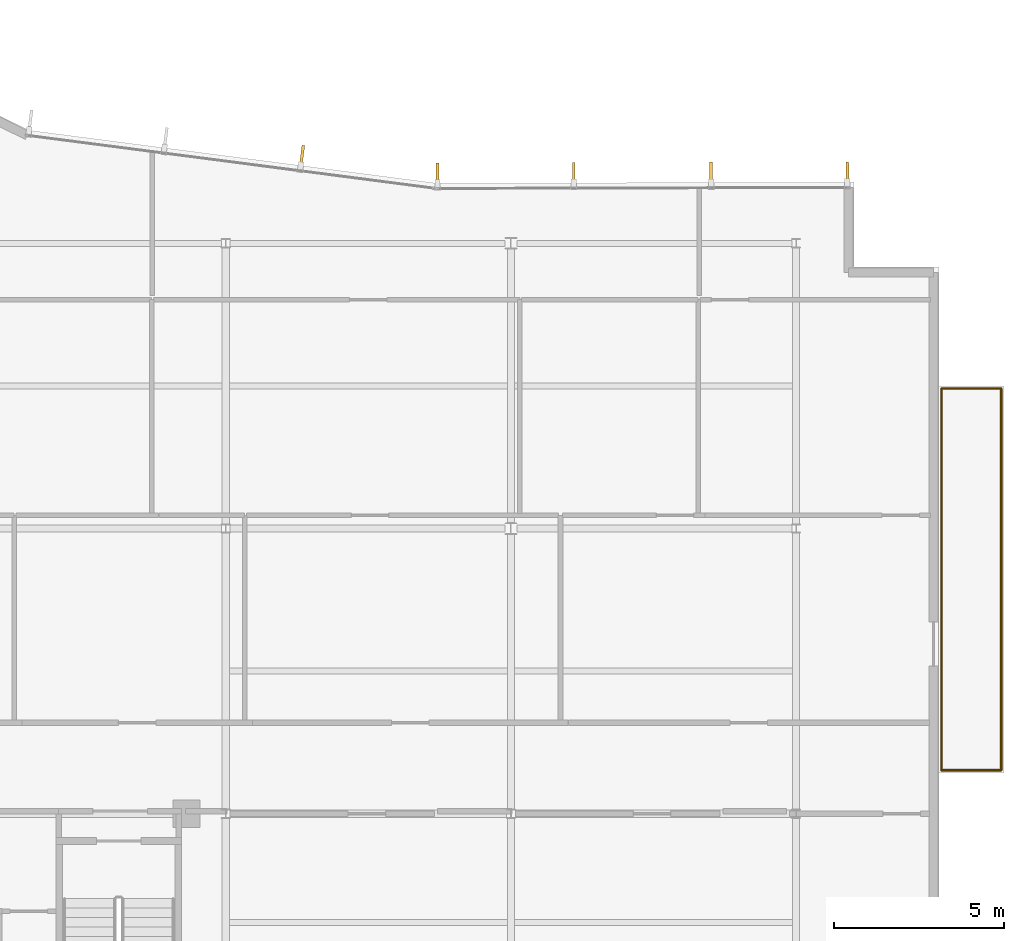
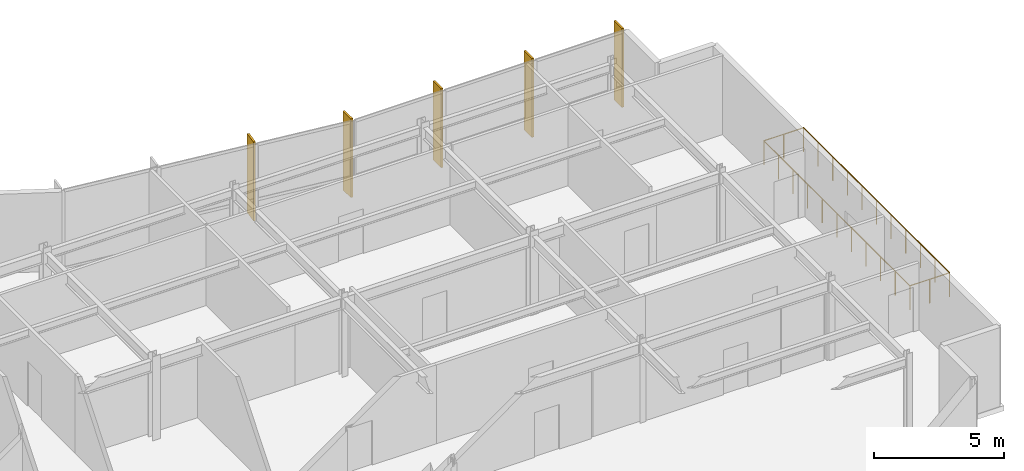
# One storey, part 14 of 15: 5 shading devices, 4 railings.
"""IFC4 building model written with IfcOpenShell, lengths in metres."""

from ifc_helpers import new_model, si_unit, direction, frame, origin, origin_2d, place, context, subcontext, project, spatial, rectangle, circle, extrude, material, layer, layer_set, type_object, element, save


model = new_model("IFC4")

# Units and contexts
model_context = context("Model", 3, precision=1e-05, world=origin(), true_north=direction((0.0, 1.0)))
body_context = subcontext(model_context, "Body", "Model", "MODEL_VIEW")
ifc_project = project(units=[si_unit("LENGTHUNIT", "METRE"), si_unit("AREAUNIT", "SQUARE_METRE"), si_unit("VOLUMEUNIT", "CUBIC_METRE"), si_unit("PLANEANGLEUNIT", "RADIAN"), si_unit("MASSUNIT", "GRAM", prefix="KILO")], contexts=[model_context])

# Site, building, storey
site_placement = place(None, origin())
site = spatial("IfcSite", under=ifc_project, at=site_placement, CompositionType="ELEMENT")
building_placement = place(site_placement, origin())
building = spatial("IfcBuilding", under=site, at=building_placement, Name="Varnakote Quay Hospital", CompositionType="ELEMENT")
storey_placement = place(building_placement, frame((0.0, 0.0, 252.60009765625)))
storey = spatial("IfcBuildingStorey", under=building, at=storey_placement, Name="L62", CompositionType="ELEMENT", Elevation=252.60009765625)

# Railings
ifc_material_1 = material(Name="Anodised aluminium 6063-T6 Bronze", Category="aluminium")
railing_type = type_object("IfcRailingType", Name="RLG-EXT-GUARD-1150", PredefinedType="GUARDRAIL", material=ifc_material_1)
railing_1_placement = place(storey_placement, frame((46.27587890625, 24.52001953125, 0.0)))
element("IfcRailing", 1, at=railing_1_placement, inside=storey, type_object=railing_type, Name="L62 Zigzag Prow Healing Terrace Safety Guard", PredefinedType="GUARDRAIL", context=body_context, shape_type="SweptSolid", body=[
    extrude(circle(Radius=0.02392578125, at=origin_2d()), frame((0.0, 0.0, 1.1259765625), z_axis=(1.0, 0.0, 0.0), x_axis=(0.0, 1.0, 0.0)), (0.0, 0.0, 1.0), 1.76416015625),
    extrude(circle(Radius=0.02099609375, at=origin_2d()), origin(), (0.0, 0.0, 1.0), 1.101806640625),
    extrude(circle(Radius=0.02099609375, at=origin_2d()), frame((0.882080078125, 0.0, 0.0)), (0.0, 0.0, 1.0), 1.101806640625),
    extrude(circle(Radius=0.02099609375, at=origin_2d()), frame((1.76416015625, 0.0, 0.0)), (0.0, 0.0, 1.0), 1.101806640625),
])
railing_2_placement = place(storey_placement, frame((48.0400390625, 24.52001953125, 0.0)))
element("IfcRailing", 2, at=railing_2_placement, inside=storey, type_object=railing_type, Name="L62 Zigzag Prow Healing Terrace Safety Guard", PredefinedType="GUARDRAIL", context=body_context, shape_type="SweptSolid", body=[
    extrude(circle(Radius=0.02392578125, at=origin_2d()), frame((0.0, 0.0, 1.1259765625), z_axis=(0.0, -1.0, 0.0), x_axis=(1.0, 0.0, 0.0)), (0.0, 0.0, 1.0), 11.239990234375),
    extrude(circle(Radius=0.02099609375, at=origin_2d()), origin(), (0.0, 0.0, 1.0), 1.101806640625),
    extrude(circle(Radius=0.02099609375, at=origin_2d()), frame((0.0, -1.1240234375, 0.0)), (0.0, 0.0, 1.0), 1.101806640625),
    extrude(circle(Radius=0.02099609375, at=origin_2d()), frame((0.0, -2.248046875, 0.0)), (0.0, 0.0, 1.0), 1.101806640625),
    extrude(circle(Radius=0.02099609375, at=origin_2d()), frame((0.0, -3.3720703125, 0.0)), (0.0, 0.0, 1.0), 1.101806640625),
    extrude(circle(Radius=0.02099609375, at=origin_2d()), frame((0.0, -4.49609375, 0.0)), (0.0, 0.0, 1.0), 1.101806640625),
    extrude(circle(Radius=0.02099609375, at=origin_2d()), frame((0.0, -5.6201171875, 0.0)), (0.0, 0.0, 1.0), 1.101806640625),
    extrude(circle(Radius=0.02099609375, at=origin_2d()), frame((0.0, -6.743896484375, 0.0)), (0.0, 0.0, 1.0), 1.101806640625),
    extrude(circle(Radius=0.02099609375, at=origin_2d()), frame((0.0, -7.867919921875, 0.0)), (0.0, 0.0, 1.0), 1.101806640625),
    extrude(circle(Radius=0.02099609375, at=origin_2d()), frame((0.0, -8.991943359375, 0.0)), (0.0, 0.0, 1.0), 1.101806640625),
    extrude(circle(Radius=0.02099609375, at=origin_2d()), frame((0.0, -10.115966796875, 0.0)), (0.0, 0.0, 1.0), 1.101806640625),
    extrude(circle(Radius=0.02099609375, at=origin_2d()), frame((0.0, -11.239990234375, 0.0)), (0.0, 0.0, 1.0), 1.101806640625),
])
railing_3_placement = place(storey_placement, frame((48.0400390625, 13.280029296875, 0.0)))
element("IfcRailing", 3, at=railing_3_placement, inside=storey, type_object=railing_type, Name="L62 Zigzag Prow Healing Terrace Safety Guard", PredefinedType="GUARDRAIL", context=body_context, shape_type="SweptSolid", body=[
    extrude(circle(Radius=0.02392578125, at=origin_2d()), frame((0.0, 0.0, 1.1259765625), z_axis=(-1.0, 0.0, 0.0), x_axis=(0.0, -1.0, 0.0)), (0.0, 0.0, 1.0), 1.76416015625),
    extrude(circle(Radius=0.02099609375, at=origin_2d()), origin(), (0.0, 0.0, 1.0), 1.101806640625),
    extrude(circle(Radius=0.02099609375, at=origin_2d()), frame((-0.882080078125, 0.0, 0.0)), (0.0, 0.0, 1.0), 1.101806640625),
    extrude(circle(Radius=0.02099609375, at=origin_2d()), frame((-1.76416015625, 0.0, 0.0)), (0.0, 0.0, 1.0), 1.101806640625),
])
railing_4_placement = place(storey_placement, frame((46.27587890625, 13.280029296875, 0.0)))
element("IfcRailing", 4, at=railing_4_placement, inside=storey, type_object=railing_type, Name="L62 Zigzag Prow Healing Terrace Safety Guard", PredefinedType="GUARDRAIL", context=body_context, shape_type="SweptSolid", body=[
    extrude(circle(Radius=0.02392578125, at=origin_2d()), frame((0.0, 0.0, 1.1259765625), z_axis=(0.0, 1.0, 0.0), x_axis=(-1.0, 0.0, 0.0)), (0.0, 0.0, 1.0), 11.239990234375),
    extrude(circle(Radius=0.02099609375, at=origin_2d()), origin(), (0.0, 0.0, 1.0), 1.101806640625),
    extrude(circle(Radius=0.02099609375, at=origin_2d()), frame((0.0, 1.1240234375, 0.0)), (0.0, 0.0, 1.0), 1.101806640625),
    extrude(circle(Radius=0.02099609375, at=origin_2d()), frame((0.0, 2.248046875, 0.0)), (0.0, 0.0, 1.0), 1.101806640625),
    extrude(circle(Radius=0.02099609375, at=origin_2d()), frame((0.0, 3.3720703125, 0.0)), (0.0, 0.0, 1.0), 1.101806640625),
    extrude(circle(Radius=0.02099609375, at=origin_2d()), frame((0.0, 4.49609375, 0.0)), (0.0, 0.0, 1.0), 1.101806640625),
    extrude(circle(Radius=0.02099609375, at=origin_2d()), frame((0.0, 5.6201171875, 0.0)), (0.0, 0.0, 1.0), 1.101806640625),
    extrude(circle(Radius=0.02099609375, at=origin_2d()), frame((0.0, 6.743896484375, 0.0)), (0.0, 0.0, 1.0), 1.101806640625),
    extrude(circle(Radius=0.02099609375, at=origin_2d()), frame((0.0, 7.867919921875, 0.0)), (0.0, 0.0, 1.0), 1.101806640625),
    extrude(circle(Radius=0.02099609375, at=origin_2d()), frame((0.0, 8.991943359375, 0.0)), (0.0, 0.0, 1.0), 1.101806640625),
    extrude(circle(Radius=0.02099609375, at=origin_2d()), frame((0.0, 10.115966796875, 0.0)), (0.0, 0.0, 1.0), 1.101806640625),
    extrude(circle(Radius=0.02099609375, at=origin_2d()), frame((0.0, 11.239990234375, 0.0)), (0.0, 0.0, 1.0), 1.101806640625),
])

# Shading devices
ifc_material_2 = material(Name="Anodised aluminium 6063-T6 Bronze", Category="aluminium")
ifc_layer = layer(ifc_material_2, 0.0849609375)
ifc_layer_set = layer_set([ifc_layer], Name="Anodised aluminium 6063-T6 Bronze")
shading_device_type = type_object("IfcShadingDeviceType", Name="SHD-BRONZE-FIN-620", PredefinedType="USERDEFINED", material=ifc_layer_set)
for number, where, z_axis, x_axis, name in (
    (5, (43.50634765625, 30.889404296875, 0.0), (0.0, 0.0, 1.0), (0.002617990887, -0.999996573056, 0.0), "L62 Anodised Bronze Vertical Shading FIN"),
    (6, (39.494140625, 30.879150390625, 0.0), (0.0, 0.0, 1.0), (0.002617990887, -0.999996573056, 0.0), "L62 Anodised Bronze Vertical Shading FIN"),
    (7, (35.449462890625, 30.868408203125, 0.0), (0.0, 0.0, 1.0), (0.002617990887, -0.999996573056, 0.0), "L62 Anodised Bronze Vertical Shading FIN"),
    (8, (31.437255859375, 30.858154296875, 0.0), (0.0, 0.0, 1.0), (0.002617990887, -0.999996573056, 0.0), "L62 Anodised Bronze Vertical Shading FIN"),
    (9, (27.447509765625, 31.3759765625, 0.0), (0.0, 0.0, 1.0), (-0.128795596578, -0.991671162383, 0.0), "L62 Anodised Bronze Vertical Shading FIN"),
):
    element("IfcShadingDevice", number, at=place(storey_placement, frame(where, z_axis=z_axis, x_axis=x_axis)), inside=storey, type_object=shading_device_type, Name=name, ObjectType="FIN", PredefinedType="USERDEFINED", context=body_context, shape_type="SweptSolid", body=[
        extrude(rectangle(XDim=0.6201171875, YDim=0.0849609375, at=origin_2d()), origin(), (0.0, 0.0, 1.0), 3.7099609375),
    ])

save(model, "model.ifc")
